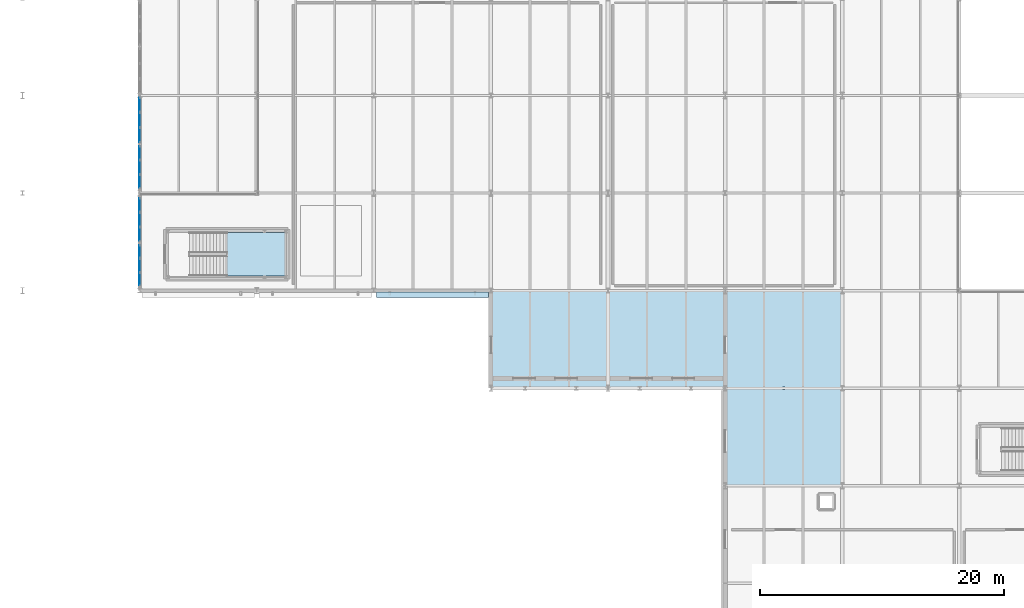
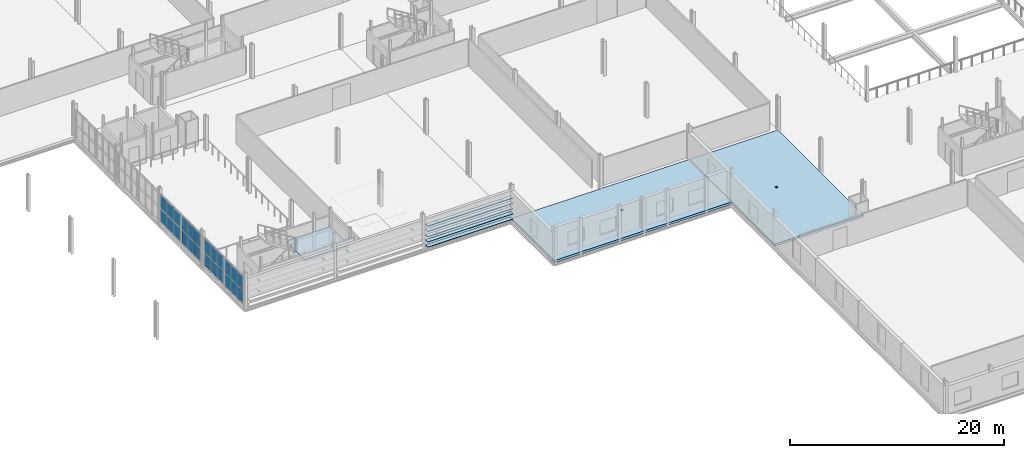
# One storey, part 48 of 78: 29 plates, 3 slabs, 5 elements without a shape of their own.
"""IFC4 building model written with IfcOpenShell, lengths in metres."""

import ifcopenshell
import ifcopenshell.guid

model = None  # the IFC model being written
_history = None  # IfcOwnerHistory: only IFC2X3 demands one
_inside = {}  # id of a spatial element -> (the spatial element, [elements in it])
_under = {}  # id of a project, library or spatial element -> (it, [spatial elements below it])
_declared = {}  # id of a project -> (the project, [libraries it declares])
_typed = {}  # id of a type object -> (the type object, [elements of that type])
_made_of = {}  # id of a material, layer set ... -> (it, [elements and type objects made of it])


def new_model(schema):
    """Start an empty IFC model of exactly this schema.

    Asked for "IFC4X3", IfcOpenShell would pick the latest addendum, in which some entities
    have other attributes; the version numbers below select the first issue.
    IFC2X3 requires an IfcOwnerHistory on every rooted entity: one is made here for all.
    """
    global model, _history
    if schema == "IFC4X3":
        model = ifcopenshell.file(schema_version=(4, 3, 0, 0))
    else:
        model = ifcopenshell.file(schema=schema)
    _inside.clear()
    _under.clear()
    _declared.clear()
    _typed.clear()
    _made_of.clear()
    _history = None
    if model.schema == "IFC2X3":
        org = make("IfcOrganization", Name="unknown")
        user = make(
            "IfcPersonAndOrganization",
            ThePerson=make("IfcPerson", FamilyName="unknown"),
            TheOrganization=org,
        )
        app = make(
            "IfcApplication",
            ApplicationDeveloper=org,
            Version="unknown",
            ApplicationFullName="unknown",
            ApplicationIdentifier="unknown",
        )
        _history = make(
            "IfcOwnerHistory",
            OwningUser=user,
            OwningApplication=app,
            ChangeAction="ADDED",
            CreationDate=0,
        )
    return model


def make(cls, **values):
    """One entity of the class cls with the attributes given. An attribute that is None is left unset."""
    return model.create_entity(
        cls, **{name: value for name, value in values.items() if value is not None}
    )


def rooted(cls, **values):
    """An entity with a GlobalId (a new one), such as an element, a storey or a relation."""
    return make(cls, GlobalId=ifcopenshell.guid.new(), OwnerHistory=_history, **values)


def si_unit(unit_type, name, prefix=None):
    """IfcSIUnit, for example si_unit("LENGTHUNIT", "METRE", prefix="MILLI")."""
    return make("IfcSIUnit", UnitType=unit_type, Prefix=prefix, Name=name)


def assignment(units):
    """IfcUnitAssignment: the units of a project."""
    return None if units is None else make("IfcUnitAssignment", Units=units)


def point(xyz):
    """IfcCartesianPoint."""
    return None if xyz is None else make("IfcCartesianPoint", Coordinates=xyz)


def direction(xyz):
    """IfcDirection."""
    return None if xyz is None else make("IfcDirection", DirectionRatios=xyz)


def frame(location, z_axis=None, x_axis=None):
    """IfcAxis2Placement3D, a coordinate frame: its origin and axes. An axis left out is left unset."""
    return make(
        "IfcAxis2Placement3D",
        Location=point(location),
        Axis=direction(z_axis),
        RefDirection=direction(x_axis),
    )


def frame_2d(location, x_axis=None):
    """IfcAxis2Placement2D, a coordinate frame in the plane: its origin and x axis."""
    return make(
        "IfcAxis2Placement2D", Location=point(location), RefDirection=direction(x_axis)
    )


def origin():
    """The frame at (0, 0, 0) with its axes left unset."""
    return frame((0.0, 0.0, 0.0))


def origin_2d():
    """The frame at (0, 0) in the plane with its x axis left unset."""
    return frame_2d((0.0, 0.0))


def place(relative_to, where):
    """IfcLocalPlacement: puts the frame where relative to a parent placement (None: the world)."""
    return make(
        "IfcLocalPlacement", PlacementRelTo=relative_to, RelativePlacement=where
    )


def context(
    kind, dimensions, precision=None, world=None, true_north=None, identifier=None
):
    """IfcGeometricRepresentationContext, for example the 3D "Model" context."""
    return make(
        "IfcGeometricRepresentationContext",
        ContextIdentifier=identifier,
        ContextType=kind,
        CoordinateSpaceDimension=dimensions,
        Precision=precision,
        WorldCoordinateSystem=world,
        TrueNorth=true_north,
    )


def subcontext(parent, identifier, kind, view, scale=None):
    """IfcGeometricRepresentationSubContext, for example "Body" below "Model"."""
    return make(
        "IfcGeometricRepresentationSubContext",
        ContextIdentifier=identifier,
        ContextType=kind,
        ParentContext=parent,
        TargetScale=scale,
        TargetView=view,
    )


def project(units=None, contexts=None):
    """IfcProject with its units and contexts."""
    return rooted(
        "IfcProject",
        Name="project",
        RepresentationContexts=contexts,
        UnitsInContext=assignment(units),
    )


def spatial(cls, under=None, at=None, **own):
    """A site, building, storey or space (cls), placed at a placement, below another one or the project."""
    s = rooted(cls, ObjectPlacement=at, **own)
    if under is not None:
        _under.setdefault(under.id(), (under, []))[1].append(s)
    return s


def polyline(points):
    """IfcPolyline through the points."""
    return make("IfcPolyline", Points=[point(p) for p in points])


def profile(cls, at=None, kind="AREA", **sizes):
    """A parametric profile (cls). Its sizes go by their IFC names, for example OverallWidth=200.0."""
    return make(cls, ProfileType=kind, Position=at, **sizes)


def rectangle(**sizes):
    """IfcRectangleProfileDef."""
    return profile("IfcRectangleProfileDef", **sizes)


def outline(outer, holes=None, kind="AREA"):
    """IfcArbitraryClosedProfileDef: a profile drawn as a closed curve; with holes, ...WithVoids."""
    if holes is None:
        return make("IfcArbitraryClosedProfileDef", ProfileType=kind, OuterCurve=outer)
    return make(
        "IfcArbitraryProfileDefWithVoids",
        ProfileType=kind,
        OuterCurve=outer,
        InnerCurves=holes,
    )


def extrude(swept, where, along, depth):
    """IfcExtrudedAreaSolid: the profile swept, set in the frame where, extruded along a direction by depth."""
    return make(
        "IfcExtrudedAreaSolid",
        SweptArea=swept,
        Position=where,
        ExtrudedDirection=direction(along),
        Depth=depth,
    )


def shape(context_of_items, identifier, shape_type, items):
    """IfcShapeRepresentation: the items that make up one representation, for example the "Body"."""
    return make(
        "IfcShapeRepresentation",
        ContextOfItems=context_of_items,
        RepresentationIdentifier=identifier,
        RepresentationType=shape_type,
        Items=items,
    )


def material(Name=None, Category=None):
    """IfcMaterial."""
    return make("IfcMaterial", Name=Name, Category=Category)


def layer(
    of_material, thickness, ventilated=None, Name=None, Category=None, Priority=None
):
    """IfcMaterialLayer: one layer of a wall or slab, of a material (None: an air gap)."""
    return make(
        "IfcMaterialLayer",
        Material=of_material,
        LayerThickness=thickness,
        IsVentilated=ventilated,
        Name=Name,
        Category=Category,
        Priority=Priority,
    )


def layer_set(layers, Name=None):
    """IfcMaterialLayerSet."""
    return make("IfcMaterialLayerSet", MaterialLayers=layers, LayerSetName=Name)


def made_of(thing, what):
    """Note that an element or type object is made of a material, layer set ...; save() writes the relation."""
    if what is not None:
        _made_of.setdefault(what.id(), (what, []))[1].append(thing)
    return thing


def type_object(cls, material=None, **own):
    """A type object (cls), such as IfcWallType, which elements share."""
    return made_of(rooted(cls, **own), material)


def element(
    cls,
    number,
    at=None,
    inside=None,
    cuts=None,
    type_object=None,
    material=None,
    context=None,
    identifier="Body",
    shape_type=None,
    held_by="IfcProductDefinitionShape",
    body=None,
    shapes=None,
    **own,
):
    """One element of the class cls, such as IfcWall. Its Tag is "e" and its number.

    at: its placement. inside: the storey or other place that contains it. cuts: it is an
    opening in that element (IfcRelVoidsElement). A single representation is given by context,
    identifier, shape_type and body (its items); several are given by shapes. held_by: the class
    of the entity that holds the representations. save() writes the other relations.
    """
    e = rooted(cls, Tag="e%d" % number, ObjectPlacement=at, **own)
    if body is not None:
        shapes = [shape(context, identifier, shape_type, body)]
    if shapes is not None:
        e.Representation = make(held_by, Representations=shapes)
    if inside is not None:
        _inside.setdefault(inside.id(), (inside, []))[1].append(e)
    if cuts is not None:
        rooted(
            "IfcRelVoidsElement", RelatingBuildingElement=cuts, RelatedOpeningElement=e
        )
    if type_object is not None:
        _typed.setdefault(type_object.id(), (type_object, []))[1].append(e)
    return made_of(e, material)


def aggregate(whole, parts):
    """IfcRelAggregates: a whole, such as a stair, and the parts it consists of."""
    return rooted("IfcRelAggregates", RelatingObject=whole, RelatedObjects=parts)


def save(model, path):
    """Write the relations noted so far, then the file.

    IfcRelAggregates (storeys below a building ...), IfcRelContainedInSpatialStructure (elements
    in a storey), IfcRelDefinesByType, IfcRelAssociatesMaterial and IfcRelDeclares: one each for
    every whole, place, type object, material and project.
    """
    for whole, parts in _under.values():
        aggregate(whole, parts)
    for where, things in _inside.values():
        rooted(
            "IfcRelContainedInSpatialStructure",
            RelatedElements=things,
            RelatingStructure=where,
        )
    for kind, things in _typed.values():
        rooted("IfcRelDefinesByType", RelatedObjects=things, RelatingType=kind)
    for what, things in _made_of.values():
        rooted("IfcRelAssociatesMaterial", RelatedObjects=things, RelatingMaterial=what)
    for by, libraries in _declared.values():
        rooted("IfcRelDeclares", RelatingContext=by, RelatedDefinitions=libraries)
    model.write(path)


model = new_model("IFC4")

# Units and contexts
model_context = context("Model", 3, precision=1e-05, world=origin(), true_north=direction((0.0, 1.0)))
body_context = subcontext(model_context, "Body", "Model", "MODEL_VIEW")
ifc_project = project(units=[si_unit("LENGTHUNIT", "METRE"), si_unit("AREAUNIT", "SQUARE_METRE"), si_unit("VOLUMEUNIT", "CUBIC_METRE"), si_unit("PLANEANGLEUNIT", "RADIAN"), si_unit("MASSUNIT", "GRAM", prefix="KILO")], contexts=[model_context])

# Site, building, storey
site_placement = place(None, origin())
site = spatial("IfcSite", under=ifc_project, at=site_placement, CompositionType="ELEMENT")
building_placement = place(site_placement, origin())
building = spatial("IfcBuilding", under=site, at=building_placement, Name="Alderhovde Museum", CompositionType="ELEMENT")
storey_placement = place(building_placement, frame((0.0, 0.0, 4.5)))
storey = spatial("IfcBuildingStorey", under=building, at=storey_placement, Name="L01", CompositionType="ELEMENT", Elevation=4.5)

# Curtain wall, plates
ifc_material_1 = material(Name="Triple-Glazed Bronze-Anodised Curtain Wall", Category="glass")
ifc_layer_1 = layer(ifc_material_1, 0.219970703125)
ifc_layer_set_1 = layer_set([ifc_layer_1], Name="Triple-Glazed Bronze-Anodised Curtain Wall")
curtain_wall_type_1 = type_object("IfcCurtainWallType", Name="CW-STIC-365x326", PredefinedType="USERDEFINED", material=ifc_layer_set_1)
curtain_wall_1_placement = place(storey_placement, origin())
curtain_wall_1 = element("IfcCurtainWall", 1, at=curtain_wall_1_placement, inside=storey, type_object=curtain_wall_type_1, Name="L01 Stick Curtain Wall 4", ObjectType="STICK CURTAIN WALL", PredefinedType="USERDEFINED")
ifc_material_2 = material(Name="Triple-Glazed Low-E Laminated Glass", Category="glass")
ifc_layer_2 = layer(ifc_material_2, 0.028076171875)
ifc_layer_set_2 = layer_set([ifc_layer_2], Name="Triple-Glazed Low-E Laminated Glass")
plate_type_1 = type_object("IfcPlateType", Name="CWP-GLAZ-28", PredefinedType="CURTAIN_PANEL", material=ifc_layer_set_2)
plate_1_placement = place(storey_placement, frame((19.199951171875, 52.627197265625, 0.074951171875), z_axis=(0.0, 0.0, 1.0), x_axis=(0.0, 1.0, 0.0)))
plate_1 = element("IfcPlate", 2, at=plate_1_placement, type_object=plate_type_1, Name="CW04 panel 1.1", PredefinedType="CURTAIN_PANEL", context=body_context, shape_type="SweptSolid", body=[
    extrude(rectangle(XDim=1.104248046875, YDim=0.028076171875, at=origin_2d()), origin(), (0.0, 0.0, 1.0), 1.517578125),
])
plate_2_placement = place(storey_placement, frame((19.199951171875, 52.627197265625, 1.66748046875), z_axis=(0.0, 0.0, 1.0), x_axis=(0.0, 1.0, 0.0)))
plate_2 = element("IfcPlate", 3, at=plate_2_placement, type_object=plate_type_1, Name="CW04 panel 1.2", PredefinedType="CURTAIN_PANEL", context=body_context, shape_type="SweptSolid", body=[
    extrude(rectangle(XDim=1.104248046875, YDim=0.028076171875, at=origin_2d()), origin(), (0.0, 0.0, 1.0), 1.517578125),
])
plate_3_placement = place(storey_placement, frame((19.199951171875, 53.824951171875, 0.074951171875), z_axis=(0.0, 0.0, 1.0), x_axis=(0.0, 1.0, 0.0)))
plate_3 = element("IfcPlate", 4, at=plate_3_placement, type_object=plate_type_1, Name="CW04 panel 2.1", PredefinedType="CURTAIN_PANEL", context=body_context, shape_type="SweptSolid", body=[
    extrude(rectangle(XDim=1.1416015625, YDim=0.028076171875, at=origin_2d()), origin(), (0.0, 0.0, 1.0), 1.517578125),
])
plate_4_placement = place(storey_placement, frame((19.199951171875, 53.824951171875, 1.66748046875), z_axis=(0.0, 0.0, 1.0), x_axis=(0.0, 1.0, 0.0)))
plate_4 = element("IfcPlate", 5, at=plate_4_placement, type_object=plate_type_1, Name="CW04 panel 2.2", PredefinedType="CURTAIN_PANEL", context=body_context, shape_type="SweptSolid", body=[
    extrude(rectangle(XDim=1.1416015625, YDim=0.028076171875, at=origin_2d()), origin(), (0.0, 0.0, 1.0), 1.517578125),
])
plate_5_placement = place(storey_placement, frame((19.199951171875, 55.02294921875, 0.074951171875), z_axis=(0.0, 0.0, 1.0), x_axis=(0.0, 1.0, 0.0)))
plate_5 = element("IfcPlate", 6, at=plate_5_placement, type_object=plate_type_1, Name="CW04 panel 3.1", PredefinedType="CURTAIN_PANEL", context=body_context, shape_type="SweptSolid", body=[
    extrude(rectangle(XDim=1.104248046875, YDim=0.028076171875, at=origin_2d()), origin(), (0.0, 0.0, 1.0), 1.517578125),
])
plate_6_placement = place(storey_placement, frame((19.199951171875, 55.02294921875, 1.66748046875), z_axis=(0.0, 0.0, 1.0), x_axis=(0.0, 1.0, 0.0)))
plate_6 = element("IfcPlate", 7, at=plate_6_placement, type_object=plate_type_1, Name="CW04 panel 3.2", PredefinedType="CURTAIN_PANEL", context=body_context, shape_type="SweptSolid", body=[
    extrude(rectangle(XDim=1.104248046875, YDim=0.028076171875, at=origin_2d()), origin(), (0.0, 0.0, 1.0), 1.517578125),
])
aggregate(curtain_wall_1, [plate_1, plate_2, plate_3, plate_4, plate_5, plate_6])

ifc_material_3 = material(Name="Triple-Glazed Bronze-Anodised Curtain Wall", Category="glass")
ifc_layer_3 = layer(ifc_material_3, 0.219970703125)
ifc_layer_set_3 = layer_set([ifc_layer_3], Name="Triple-Glazed Bronze-Anodised Curtain Wall")
curtain_wall_type_2 = type_object("IfcCurtainWallType", Name="CW-STIC-380x326", PredefinedType="USERDEFINED", material=ifc_layer_set_3)
curtain_wall_2_placement = place(storey_placement, origin())
curtain_wall_2 = element("IfcCurtainWall", 8, at=curtain_wall_2_placement, inside=storey, type_object=curtain_wall_type_2, Name="L01 Stick Curtain Wall 8", ObjectType="STICK CURTAIN WALL", PredefinedType="USERDEFINED")
plate_7_placement = place(storey_placement, frame((19.199951171875, 60.752197265625, 0.074951171875), z_axis=(0.0, 0.0, 1.0), x_axis=(0.0, 1.0, 0.0)))
plate_7 = element("IfcPlate", 9, at=plate_7_placement, type_object=plate_type_1, Name="CW06 panel 1.1", PredefinedType="CURTAIN_PANEL", context=body_context, shape_type="SweptSolid", body=[
    extrude(rectangle(XDim=1.154052734375, YDim=0.028076171875, at=origin_2d()), origin(), (0.0, 0.0, 1.0), 1.517578125),
])
plate_8_placement = place(storey_placement, frame((19.199951171875, 60.752197265625, 1.66748046875), z_axis=(0.0, 0.0, 1.0), x_axis=(0.0, 1.0, 0.0)))
plate_8 = element("IfcPlate", 10, at=plate_8_placement, type_object=plate_type_1, Name="CW06 panel 1.2", PredefinedType="CURTAIN_PANEL", context=body_context, shape_type="SweptSolid", body=[
    extrude(rectangle(XDim=1.154052734375, YDim=0.028076171875, at=origin_2d()), origin(), (0.0, 0.0, 1.0), 1.517578125),
])
plate_9_placement = place(storey_placement, frame((19.199951171875, 62.0, 0.074951171875), z_axis=(0.0, 0.0, 1.0), x_axis=(0.0, 1.0, 0.0)))
plate_9 = element("IfcPlate", 11, at=plate_9_placement, type_object=plate_type_1, Name="CW06 panel 2.1", PredefinedType="CURTAIN_PANEL", context=body_context, shape_type="SweptSolid", body=[
    extrude(rectangle(XDim=1.191650390625, YDim=0.028076171875, at=origin_2d()), origin(), (0.0, 0.0, 1.0), 1.517578125),
])
plate_10_placement = place(storey_placement, frame((19.199951171875, 62.0, 1.66748046875), z_axis=(0.0, 0.0, 1.0), x_axis=(0.0, 1.0, 0.0)))
plate_10 = element("IfcPlate", 12, at=plate_10_placement, type_object=plate_type_1, Name="CW06 panel 2.2", PredefinedType="CURTAIN_PANEL", context=body_context, shape_type="SweptSolid", body=[
    extrude(rectangle(XDim=1.191650390625, YDim=0.028076171875, at=origin_2d()), origin(), (0.0, 0.0, 1.0), 1.517578125),
])
plate_11_placement = place(storey_placement, frame((19.199951171875, 63.247802734375, 0.074951171875), z_axis=(0.0, 0.0, 1.0), x_axis=(0.0, 1.0, 0.0)))
plate_11 = element("IfcPlate", 13, at=plate_11_placement, type_object=plate_type_1, Name="CW06 panel 3.1", PredefinedType="CURTAIN_PANEL", context=body_context, shape_type="SweptSolid", body=[
    extrude(rectangle(XDim=1.154052734375, YDim=0.028076171875, at=origin_2d()), origin(), (0.0, 0.0, 1.0), 1.517578125),
])
plate_12_placement = place(storey_placement, frame((19.199951171875, 63.247802734375, 1.66748046875), z_axis=(0.0, 0.0, 1.0), x_axis=(0.0, 1.0, 0.0)))
plate_12 = element("IfcPlate", 14, at=plate_12_placement, type_object=plate_type_1, Name="CW06 panel 3.2", PredefinedType="CURTAIN_PANEL", context=body_context, shape_type="SweptSolid", body=[
    extrude(rectangle(XDim=1.154052734375, YDim=0.028076171875, at=origin_2d()), origin(), (0.0, 0.0, 1.0), 1.517578125),
])
aggregate(curtain_wall_2, [plate_7, plate_8, plate_9, plate_10, plate_11, plate_12])

ifc_material_4 = material(Name="Triple-Glazed Bronze-Anodised Curtain Wall", Category="glass")
ifc_layer_4 = layer(ifc_material_4, 0.219970703125)
ifc_layer_set_4 = layer_set([ifc_layer_4], Name="Triple-Glazed Bronze-Anodised Curtain Wall")
curtain_wall_type_3 = type_object("IfcCurtainWallType", Name="CW-STIC-345x326", PredefinedType="USERDEFINED", material=ifc_layer_set_4)
curtain_wall_3_placement = place(storey_placement, origin())
curtain_wall_3 = element("IfcCurtainWall", 15, at=curtain_wall_3_placement, inside=storey, type_object=curtain_wall_type_3, Name="L01 Stick Curtain Wall 3", ObjectType="STICK CURTAIN WALL", PredefinedType="USERDEFINED")
ifc_material_5 = material(Name="Triple-Glazed Low-E Laminated Glass", Category="glass")
ifc_layer_5 = layer(ifc_material_5, 0.052001953125)
ifc_layer_set_5 = layer_set([ifc_layer_5], Name="Triple-Glazed Low-E Laminated Glass")
plate_type_2 = type_object("IfcPlateType", Name="CWP-GLAZ-52", PredefinedType="CURTAIN_PANEL", material=ifc_layer_set_5)
plate_13_placement = place(storey_placement, frame((19.199951171875, 48.94384765625, 0.074951171875), z_axis=(0.0, 0.0, 1.0), x_axis=(0.0, 1.0, 0.0)))
plate_13 = element("IfcPlate", 16, at=plate_13_placement, type_object=plate_type_2, Name="CW03 panel 1.1", PredefinedType="CURTAIN_PANEL", context=body_context, shape_type="SweptSolid", body=[
    extrude(rectangle(XDim=1.03759765625, YDim=0.052001953125, at=origin_2d()), origin(), (0.0, 0.0, 1.0), 1.517578125),
])
plate_14_placement = place(storey_placement, frame((19.199951171875, 48.94384765625, 1.66748046875), z_axis=(0.0, 0.0, 1.0), x_axis=(0.0, 1.0, 0.0)))
plate_14 = element("IfcPlate", 17, at=plate_14_placement, type_object=plate_type_2, Name="CW03 panel 1.2", PredefinedType="CURTAIN_PANEL", context=body_context, shape_type="SweptSolid", body=[
    extrude(rectangle(XDim=1.03759765625, YDim=0.052001953125, at=origin_2d()), origin(), (0.0, 0.0, 1.0), 1.517578125),
])
plate_15_placement = place(storey_placement, frame((19.199951171875, 50.074951171875, 0.074951171875), z_axis=(0.0, 0.0, 1.0), x_axis=(0.0, 1.0, 0.0)))
plate_15 = element("IfcPlate", 18, at=plate_15_placement, type_object=plate_type_2, Name="CW03 panel 2.1", PredefinedType="CURTAIN_PANEL", context=body_context, shape_type="SweptSolid", body=[
    extrude(rectangle(XDim=1.074951171875, YDim=0.052001953125, at=origin_2d()), origin(), (0.0, 0.0, 1.0), 1.517578125),
])
plate_16_placement = place(storey_placement, frame((19.199951171875, 50.074951171875, 1.66748046875), z_axis=(0.0, 0.0, 1.0), x_axis=(0.0, 1.0, 0.0)))
plate_16 = element("IfcPlate", 19, at=plate_16_placement, type_object=plate_type_2, Name="CW03 panel 2.2", PredefinedType="CURTAIN_PANEL", context=body_context, shape_type="SweptSolid", body=[
    extrude(rectangle(XDim=1.074951171875, YDim=0.052001953125, at=origin_2d()), origin(), (0.0, 0.0, 1.0), 1.517578125),
])
plate_17_placement = place(storey_placement, frame((19.199951171875, 51.206298828125, 0.074951171875), z_axis=(0.0, 0.0, 1.0), x_axis=(0.0, 1.0, 0.0)))
plate_17 = element("IfcPlate", 20, at=plate_17_placement, type_object=plate_type_2, Name="CW03 panel 3.1", PredefinedType="CURTAIN_PANEL", context=body_context, shape_type="SweptSolid", body=[
    extrude(rectangle(XDim=1.03759765625, YDim=0.052001953125, at=origin_2d()), origin(), (0.0, 0.0, 1.0), 1.517578125),
])
plate_18_placement = place(storey_placement, frame((19.199951171875, 51.206298828125, 1.66748046875), z_axis=(0.0, 0.0, 1.0), x_axis=(0.0, 1.0, 0.0)))
plate_18 = element("IfcPlate", 21, at=plate_18_placement, type_object=plate_type_2, Name="CW03 panel 3.2", PredefinedType="CURTAIN_PANEL", context=body_context, shape_type="SweptSolid", body=[
    extrude(rectangle(XDim=1.03759765625, YDim=0.052001953125, at=origin_2d()), origin(), (0.0, 0.0, 1.0), 1.517578125),
])
aggregate(curtain_wall_3, [plate_13, plate_14, plate_15, plate_16, plate_17, plate_18])

ifc_material_6 = material(Name="Triple-Glazed Bronze-Anodised Curtain Wall", Category="glass")
ifc_layer_6 = layer(ifc_material_6, 0.219970703125)
ifc_layer_set_6 = layer_set([ifc_layer_6], Name="Triple-Glazed Bronze-Anodised Curtain Wall")
curtain_wall_type_4 = type_object("IfcCurtainWallType", Name="CW-STIC-355x326", PredefinedType="USERDEFINED", material=ifc_layer_set_6)
curtain_wall_4_placement = place(storey_placement, origin())
curtain_wall_4 = element("IfcCurtainWall", 22, at=curtain_wall_4_placement, inside=storey, type_object=curtain_wall_type_4, Name="L01 Stick Curtain Wall 7", ObjectType="STICK CURTAIN WALL", PredefinedType="USERDEFINED")
plate_19_placement = place(storey_placement, frame((19.199951171875, 56.96044921875, 0.074951171875), z_axis=(0.0, 0.0, 1.0), x_axis=(0.0, 1.0, 0.0)))
plate_19 = element("IfcPlate", 23, at=plate_19_placement, type_object=plate_type_2, Name="CW05 panel 1.1", PredefinedType="CURTAIN_PANEL", context=body_context, shape_type="SweptSolid", body=[
    extrude(rectangle(XDim=1.07080078125, YDim=0.052001953125, at=origin_2d()), origin(), (0.0, 0.0, 1.0), 1.517578125),
])
plate_20_placement = place(storey_placement, frame((19.199951171875, 56.96044921875, 1.66748046875), z_axis=(0.0, 0.0, 1.0), x_axis=(0.0, 1.0, 0.0)))
plate_20 = element("IfcPlate", 24, at=plate_20_placement, type_object=plate_type_2, Name="CW05 panel 1.2", PredefinedType="CURTAIN_PANEL", context=body_context, shape_type="SweptSolid", body=[
    extrude(rectangle(XDim=1.07080078125, YDim=0.052001953125, at=origin_2d()), origin(), (0.0, 0.0, 1.0), 1.517578125),
])
plate_21_placement = place(storey_placement, frame((19.199951171875, 58.125, 0.074951171875), z_axis=(0.0, 0.0, 1.0), x_axis=(0.0, 1.0, 0.0)))
plate_21 = element("IfcPlate", 25, at=plate_21_placement, type_object=plate_type_2, Name="CW05 panel 2.1", PredefinedType="CURTAIN_PANEL", context=body_context, shape_type="SweptSolid", body=[
    extrude(rectangle(XDim=1.1083984375, YDim=0.052001953125, at=origin_2d()), origin(), (0.0, 0.0, 1.0), 1.517578125),
])
plate_22_placement = place(storey_placement, frame((19.199951171875, 58.125, 1.66748046875), z_axis=(0.0, 0.0, 1.0), x_axis=(0.0, 1.0, 0.0)))
plate_22 = element("IfcPlate", 26, at=plate_22_placement, type_object=plate_type_2, Name="CW05 panel 2.2", PredefinedType="CURTAIN_PANEL", context=body_context, shape_type="SweptSolid", body=[
    extrude(rectangle(XDim=1.1083984375, YDim=0.052001953125, at=origin_2d()), origin(), (0.0, 0.0, 1.0), 1.517578125),
])
plate_23_placement = place(storey_placement, frame((19.199951171875, 59.28955078125, 0.074951171875), z_axis=(0.0, 0.0, 1.0), x_axis=(0.0, 1.0, 0.0)))
plate_23 = element("IfcPlate", 27, at=plate_23_placement, type_object=plate_type_2, Name="CW05 panel 3.1", PredefinedType="CURTAIN_PANEL", context=body_context, shape_type="SweptSolid", body=[
    extrude(rectangle(XDim=1.07080078125, YDim=0.052001953125, at=origin_2d()), origin(), (0.0, 0.0, 1.0), 1.517578125),
])
plate_24_placement = place(storey_placement, frame((19.199951171875, 59.28955078125, 1.66748046875), z_axis=(0.0, 0.0, 1.0), x_axis=(0.0, 1.0, 0.0)))
plate_24 = element("IfcPlate", 28, at=plate_24_placement, type_object=plate_type_2, Name="CW05 panel 3.2", PredefinedType="CURTAIN_PANEL", context=body_context, shape_type="SweptSolid", body=[
    extrude(rectangle(XDim=1.07080078125, YDim=0.052001953125, at=origin_2d()), origin(), (0.0, 0.0, 1.0), 1.517578125),
])
aggregate(curtain_wall_4, [plate_19, plate_20, plate_21, plate_22, plate_23, plate_24])

# Plates
ifc_material_7 = material(Name="Bronze-Anodised Aluminium EN AW-6063-T6", Category="aluminium")
ifc_layer_7 = layer(ifc_material_7, 0.06494140625)
ifc_layer_set_7 = layer_set([ifc_layer_7], Name="Bronze-Anodised Aluminium EN AW-6063-T6")
plate_type_3 = type_object("IfcPlateType", Name="LV-BLADE-450", PredefinedType="USERDEFINED", material=ifc_layer_set_7)
for number, where, z_axis, x_axis, name in (
    (29, (43.199951171875, 47.64501953125, 0.267578125), (0.0, 0.0, 1.0), (1.0, 0.0, 0.0), "L01 Wrap-Around Horizontal Louvre 47"),
    (30, (43.199951171875, 47.64501953125, 0.867431640625), (0.0, 0.0, 1.0), (1.0, 0.0, 0.0), "L01 Wrap-Around Horizontal Louvre 48"),
    (31, (43.199951171875, 47.64501953125, 1.467529296875), (0.0, 0.0, 1.0), (1.0, 0.0, 0.0), "L01 Wrap-Around Horizontal Louvre 49"),
    (32, (43.199951171875, 47.64501953125, 2.067626953125), (0.0, 0.0, 1.0), (1.0, 0.0, 0.0), "L01 Wrap-Around Horizontal Louvre 50"),
    (33, (43.199951171875, 47.64501953125, 2.66748046875), (0.0, 0.0, 1.0), (1.0, 0.0, 0.0), "L01 Wrap-Around Horizontal Louvre 51"),
):
    element("IfcPlate", number, at=place(storey_placement, frame(where, z_axis=z_axis, x_axis=x_axis)), inside=storey, type_object=plate_type_3, Name=name, ObjectType="LOUVRE BLADE", PredefinedType="USERDEFINED", context=body_context, shape_type="SweptSolid", body=[
        extrude(rectangle(XDim=9.199951171875, YDim=0.449951171875, at=origin_2d()), origin(), (0.0, 0.0, 1.0), 0.06494140625),
    ])

# Slabs
ifc_material_8 = material(Name="Concrete C35/45", Category="concrete")
ifc_layer_8 = layer(ifc_material_8, 0.260009765625)
ifc_layer_set_8 = layer_set([ifc_layer_8], Name="Concrete C35/45")
slab_type_1 = type_object("IfcSlabType", Name="SLB-FLR-260", PredefinedType="FLOOR", material=ifc_layer_set_8)
slab_1_placement = place(storey_placement, frame((0.0, 0.0, -0.260009765625)))
element("IfcSlab", 34, at=slab_1_placement, inside=storey, type_object=slab_type_1, Name="L01 VOL6 Structural Slab", PredefinedType="FLOOR", context=body_context, shape_type="SweptSolid", body=[
    extrude(outline(polyline([(48.0, 40.0), (67.199951171875, 40.0), (67.199951171875, 48.0), (48.0, 48.0), (48.0, 40.0)]), holes=[polyline([(57.489990234375, 43.889892578125), (57.7099609375, 43.889892578125), (57.7099609375, 44.110107421875), (57.489990234375, 44.110107421875), (57.489990234375, 43.889892578125)])]), origin(), (0.0, 0.0, 1.0), 0.260009765625),
])
slab_2_placement = place(storey_placement, frame((0.0, 0.0, -0.260009765625)))
element("IfcSlab", 35, at=slab_2_placement, inside=storey, type_object=slab_type_1, Name="L01 VOL3 Structural Slab", PredefinedType="FLOOR", context=body_context, shape_type="SweptSolid", body=[
    extrude(outline(polyline([(67.199951171875, 32.0), (76.800048828125, 32.0), (76.800048828125, 48.0), (67.199951171875, 48.0), (67.199951171875, 32.0)]), holes=[polyline([(71.889892578125, 39.889892578125), (72.110107421875, 39.889892578125), (72.110107421875, 40.110107421875), (71.889892578125, 40.110107421875), (71.889892578125, 39.889892578125)])]), origin(), (0.0, 0.0, 1.0), 0.260009765625),
])

# Stair, slab
ifc_material_9 = material(Name="Concrete C35/45", Category="concrete")
stair_type = type_object("IfcStairType", Name="STR-1500-4200", PredefinedType="HALF_TURN_STAIR", material=ifc_material_9)
stair_placement = place(storey_placement, origin())
stair = element("IfcStair", 36, at=stair_placement, inside=storey, type_object=stair_type, Name="L01 Escape Stair ST1", PredefinedType="HALF_TURN_STAIR")
ifc_material_10 = material(Name="Concrete C35/45", Category="concrete")
ifc_layer_9 = layer(ifc_material_10, 0.199951171875)
ifc_layer_set_9 = layer_set([ifc_layer_9], Name="Concrete C35/45")
slab_type_2 = type_object("IfcSlabType", Name="SLB-LANDING-200", PredefinedType="LANDING", material=ifc_layer_set_9)
slab_3_placement = place(storey_placement, frame((0.0, 0.0, 1.89990234375)))
slab_3 = element("IfcSlab", 37, at=slab_3_placement, type_object=slab_type_2, Name="ST1 landing 1", PredefinedType="LANDING", context=body_context, shape_type="SweptSolid", body=[
    extrude(outline(polyline([(26.360107421875, 49.199951171875), (31.1201171875, 49.199951171875), (31.1201171875, 52.760009765625), (26.360107421875, 52.760009765625), (26.360107421875, 49.199951171875)])), origin(), (0.0, 0.0, 1.0), 0.2001953125),
])
aggregate(stair, [slab_3])

save(model, "model.ifc")
